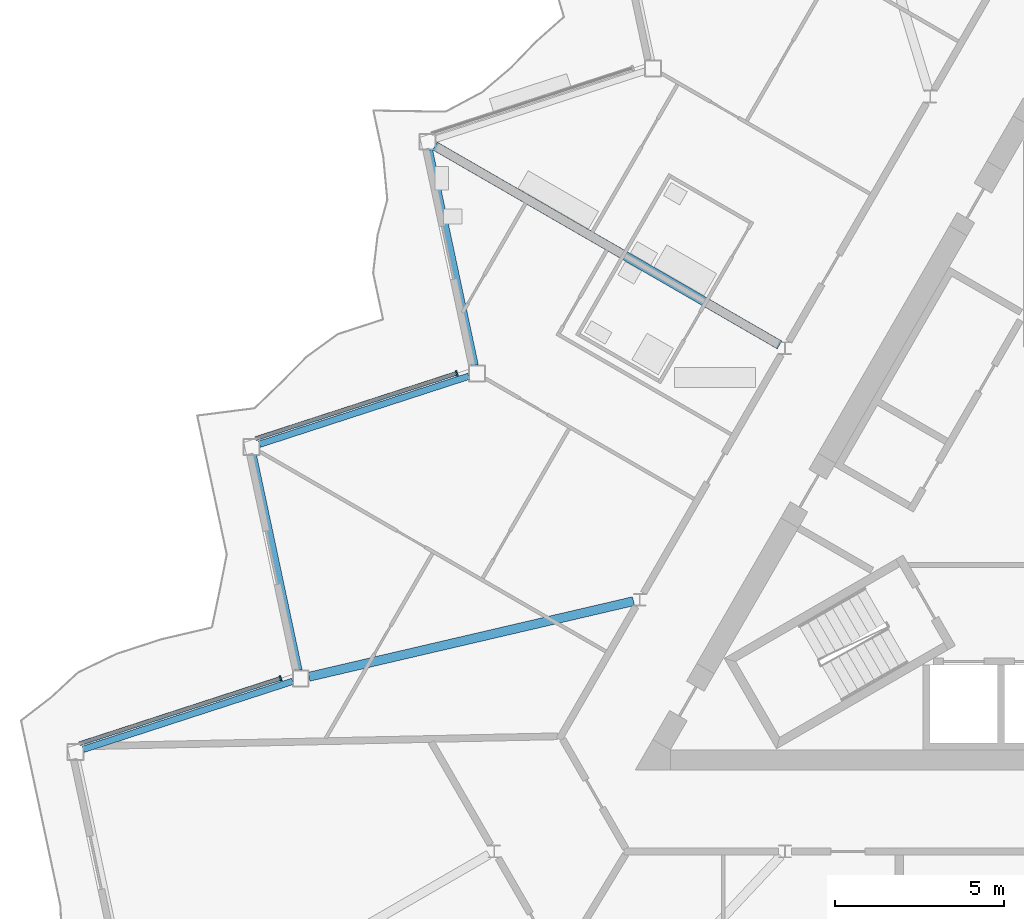
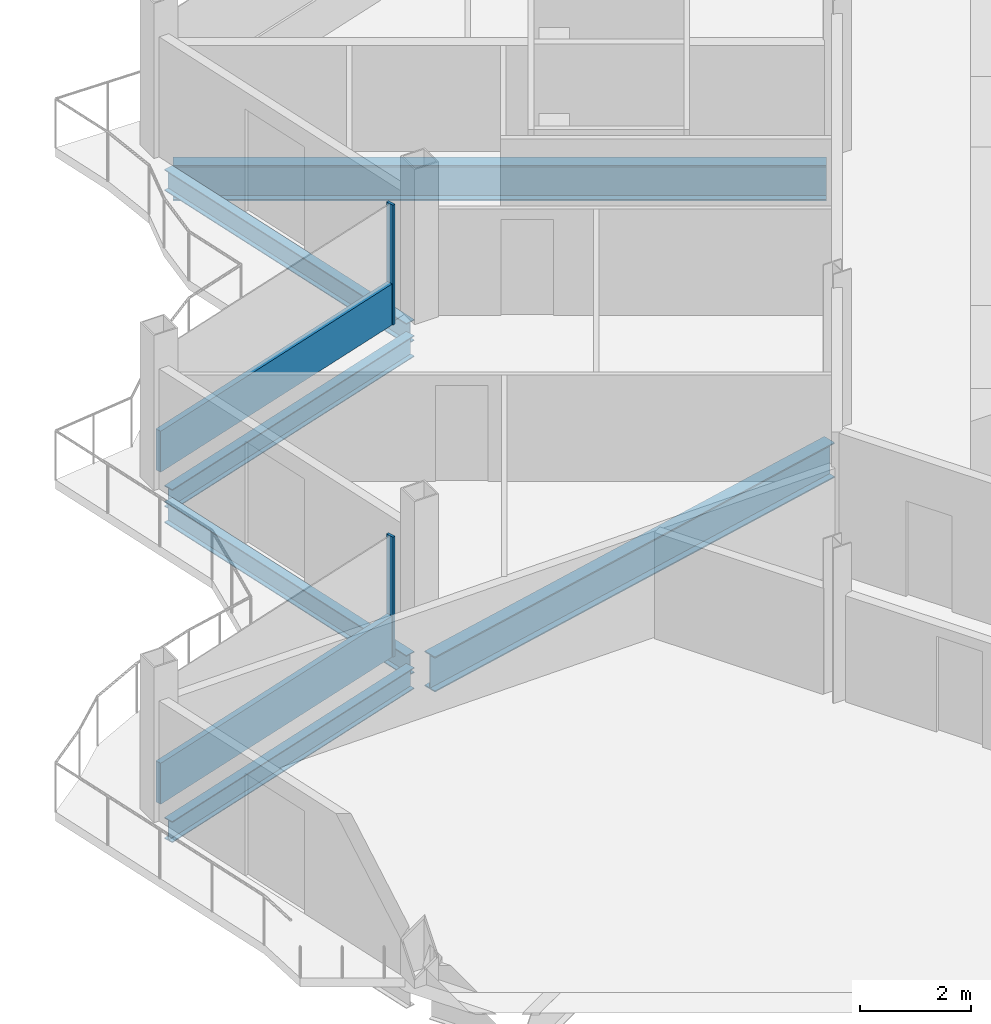
# One storey, part 6 of 25: 6 beams, 4 members, 2 elements without a shape of their own.
"""IFC4 building model written with IfcOpenShell, lengths in metres."""

from ifc_helpers import new_model, si_unit, direction, frame, origin, origin_2d, place, context, subcontext, project, spatial, rectangle, i_section, extrude, material, layer, layer_set, material_profile, profile_set, type_object, element, aggregate, save


model = new_model("IFC4")

# Units and contexts
model_context = context("Model", 3, precision=1e-05, world=origin(), true_north=direction((0.0, 1.0)))
body_context = subcontext(model_context, "Body", "Model", "MODEL_VIEW")
ifc_project = project(units=[si_unit("LENGTHUNIT", "METRE"), si_unit("AREAUNIT", "SQUARE_METRE"), si_unit("VOLUMEUNIT", "CUBIC_METRE"), si_unit("PLANEANGLEUNIT", "RADIAN"), si_unit("MASSUNIT", "GRAM", prefix="KILO")], contexts=[model_context])

# Site, building, storey
site_placement = place(None, origin())
site = spatial("IfcSite", under=ifc_project, at=site_placement, CompositionType="ELEMENT")
building_placement = place(site_placement, origin())
building = spatial("IfcBuilding", under=site, at=building_placement, Name="Cormorant Prow Tower", CompositionType="ELEMENT")
storey_placement = place(building_placement, frame((0.0, 0.0, 395.0)))
storey = spatial("IfcBuildingStorey", under=building, at=storey_placement, Name="L90", CompositionType="ELEMENT", Elevation=395.0)

# Beams
ifc_material_1 = material(Name="Structural steel ASTM A992 Gr 50", Category="steel")
ifc_material_profile_1 = material_profile(ifc_material_1, i_section(OverallWidth=0.267822265625, OverallDepth=0.77001953125, WebThickness=0.015625, FlangeThickness=0.025390625, at=origin_2d()), Name="W30x132")
ifc_profile_set_1 = profile_set([ifc_material_profile_1], Name="Structural steel ASTM A992 Gr 50")
beam_type_1 = type_object("IfcBeamType", Name="Radial floor beam W30x132", PredefinedType="BEAM", material=ifc_profile_set_1)
beam_1_placement = place(storey_placement, frame((-8.740478515625, 5.04638671875, -0.68505859375), z_axis=(-0.866026702285, 0.499997750924, 0.0), x_axis=(-0.499997750924, -0.866026702285, 0.0)))
element("IfcBeam", 1, at=beam_1_placement, inside=storey, type_object=beam_type_1, Name="Radial floor beam FB3 3 L90", PredefinedType="BEAM", context=body_context, shape_type="SweptSolid", body=[
    extrude(i_section(OverallWidth=0.267822265625, OverallDepth=0.77001953125, WebThickness=0.015625, FlangeThickness=0.025390625, at=origin_2d()), origin(), (0.0, 0.0, 1.0), 11.7451171875),
])
beam_2_placement = place(storey_placement, frame((-13.0498046875, -2.518798828125, -0.68505859375), z_axis=(-0.973926084128, -0.226865560752, 0.0), x_axis=(0.226865560752, -0.973926084128, 0.0)))
element("IfcBeam", 2, at=beam_2_placement, inside=storey, type_object=beam_type_1, Name="Radial floor beam FB3 4 L90", PredefinedType="BEAM", context=body_context, shape_type="SweptSolid", body=[
    extrude(i_section(OverallWidth=0.267822265625, OverallDepth=0.77001953125, WebThickness=0.015625, FlangeThickness=0.025390625, at=origin_2d()), origin(), (0.0, 0.0, 1.0), 9.837158203125),
])

# Curtain wall, member
ifc_material_2 = material(Name="Aluminium 6063-T6", Category="aluminium")
ifc_layer = layer(ifc_material_2, 0.159912109375)
ifc_layer_set = layer_set([ifc_layer], Name="Aluminium 6063-T6")
curtain_wall_type = type_object("IfcCurtainWallType", Name="Residential unitised curtain wall 160", PredefinedType="NOTDEFINED", material=ifc_layer_set)
curtain_wall_1_placement = place(storey_placement, origin())
curtain_wall_1 = element("IfcCurtainWall", 3, at=curtain_wall_1_placement, inside=storey, type_object=curtain_wall_type, Name="Residential curtain wall WNW06", PredefinedType="NOTDEFINED")
ifc_material_3 = material(Name="Aluminium 6063-T6", Category="aluminium")
ifc_material_profile_2 = material_profile(ifc_material_3, rectangle(XDim=0.159912109375, YDim=0.050048828125, at=origin_2d()), Name="Residential mullion 50x160")
ifc_profile_set_2 = profile_set([ifc_material_profile_2], Name="Aluminium 6063-T6")
member_type_1 = type_object("IfcMemberType", Name="Residential mullion 50x160", PredefinedType="MULLION", material=ifc_profile_set_2)
member_1_placement = place(storey_placement, frame((-18.27001953125, 4.208251953125, 0.0), z_axis=(0.0, 0.0, 1.0), x_axis=(0.309017066365, -0.951056492904, 0.0)))
member_1 = element("IfcMember", 4, at=member_1_placement, type_object=member_type_1, Name="Residential mullion WNW06", PredefinedType="MULLION", context=body_context, shape_type="SweptSolid", body=[
    extrude(rectangle(XDim=0.159912109375, YDim=0.050048828125, at=origin_2d()), origin(), (0.0, 0.0, 1.0), 2.6337890625),
])

curtain_wall_2_placement = place(storey_placement, origin())
curtain_wall_2 = element("IfcCurtainWall", 5, at=curtain_wall_2_placement, inside=storey, type_object=curtain_wall_type, Name="Residential curtain wall WNW08", PredefinedType="NOTDEFINED")
member_2_placement = place(storey_placement, frame((-23.469970703125, -4.79833984375, 0.0), z_axis=(0.0, 0.0, 1.0), x_axis=(0.309017066365, -0.951056492904, 0.0)))
member_2 = element("IfcMember", 6, at=member_2_placement, type_object=member_type_1, Name="Residential mullion WNW08", PredefinedType="MULLION", context=body_context, shape_type="SweptSolid", body=[
    extrude(rectangle(XDim=0.159912109375, YDim=0.050048828125, at=origin_2d()), origin(), (0.0, 0.0, 1.0), 2.6337890625),
])

# Member
ifc_material_4 = material(Name="Terracotta", Category="masonry")
ifc_material_profile_3 = material_profile(ifc_material_4, rectangle(XDim=0.1201171875, YDim=0.89990234375, at=origin_2d()), Name="Residential terracotta spandrel rail 120x900")
ifc_profile_set_3 = profile_set([ifc_material_profile_3], Name="Terracotta")
member_type_2 = type_object("IfcMemberType", Name="Residential terracotta spandrel rail 120x900", PredefinedType="USERDEFINED", material=ifc_profile_set_3)
member_3_placement = place(storey_placement, frame((-18.293701171875, 4.200439453125, 0.449951171875), z_axis=(-0.951056004715, -0.309018568854, 0.0), x_axis=(0.309018568854, -0.951056004715, 0.0)))
member_3 = element("IfcMember", 7, at=member_3_placement, type_object=member_type_2, Name="Residential spandrel rail WNW06", ObjectType="TRANSOM", PredefinedType="USERDEFINED", context=body_context, shape_type="SweptSolid", body=[
    extrude(rectangle(XDim=0.1201171875, YDim=0.89990234375, at=origin_2d()), origin(), (0.0, 0.0, 1.0), 6.21533203125),
])

aggregate(curtain_wall_1, [member_1, member_3])

member_4_placement = place(storey_placement, frame((-23.493896484375, -4.80615234375, 0.449951171875), z_axis=(-0.951052253526, -0.309030113522, 0.0), x_axis=(0.309030113522, -0.951052253526, 0.0)))
member_4 = element("IfcMember", 8, at=member_4_placement, type_object=member_type_2, Name="Residential spandrel rail WNW08", ObjectType="TRANSOM", PredefinedType="USERDEFINED", context=body_context, shape_type="SweptSolid", body=[
    extrude(rectangle(XDim=0.1201171875, YDim=0.89990234375, at=origin_2d()), origin(), (0.0, 0.0, 1.0), 6.215087890625),
])

aggregate(curtain_wall_2, [member_2, member_4])

# Beams
ifc_material_5 = material(Name="Structural steel ASTM A992 Gr 50", Category="steel")
ifc_material_profile_4 = material_profile(ifc_material_5, i_section(OverallWidth=0.19287109375, OverallDepth=0.466064453125, WebThickness=0.011474609375, FlangeThickness=0.01904296875, at=origin_2d()), Name="W18x65")
ifc_profile_set_4 = profile_set([ifc_material_profile_4], Name="Structural steel ASTM A992 Gr 50")
beam_type_2 = type_object("IfcBeamType", Name="Spandrel beam W18x65", PredefinedType="SPANDREL", material=ifc_profile_set_4)
for number, where, z_axis, x_axis, name in (
    (9, (-19.07666015625, 10.79931640625, -0.532958984375), (0.207909538847, -0.978148058147, 0.0), (0.978148058147, 0.207909538847, 0.0), "Spandrel beam SB4 WNW05-WNW06 L90"),
    (10, (-17.91162109375, 4.122314453125, -0.532958984375), (-0.951053396625, -0.309026595569, 0.0), (0.309026595569, -0.951053396625, 0.0), "Spandrel beam SB4 WNW06-WNW07 L90"),
    (11, (-24.276611328125, 1.792724609375, -0.532958984375), (0.207909538847, -0.978148058147, 0.0), (0.978148058147, 0.207909538847, 0.0), "Spandrel beam SB4 WNW07-WNW08 L90"),
    (12, (-23.111572265625, -4.88427734375, -0.532958984375), (-0.951053396625, -0.309026595569, 0.0), (0.309026595569, -0.951053396625, 0.0), "Spandrel beam SB4 WNW08-WNW09 L90"),
):
    element("IfcBeam", number, at=place(storey_placement, frame(where, z_axis=z_axis, x_axis=x_axis)), inside=storey, type_object=beam_type_2, Name=name, PredefinedType="SPANDREL", context=body_context, shape_type="SweptSolid", body=[
        extrude(i_section(OverallWidth=0.19287109375, OverallDepth=0.466064453125, WebThickness=0.011474609375, FlangeThickness=0.01904296875, at=origin_2d()), origin(), (0.0, 0.0, 1.0), 6.497314453125),
    ])

save(model, "model.ifc")
